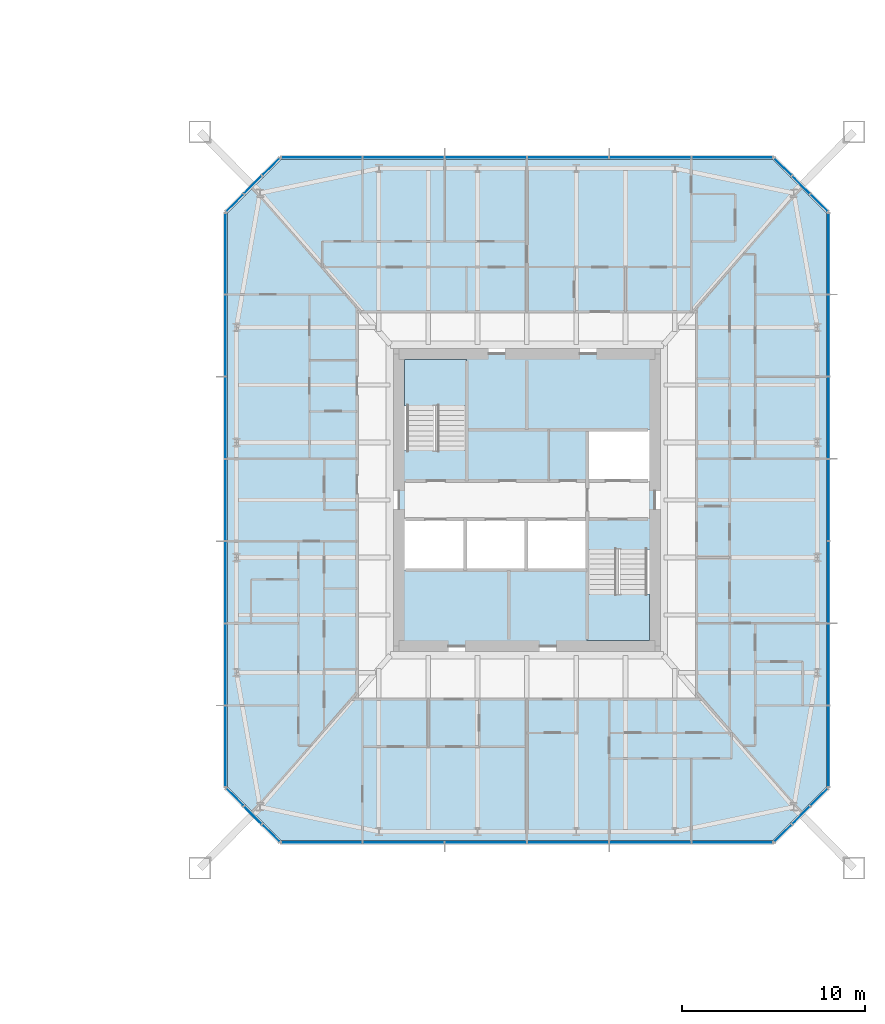
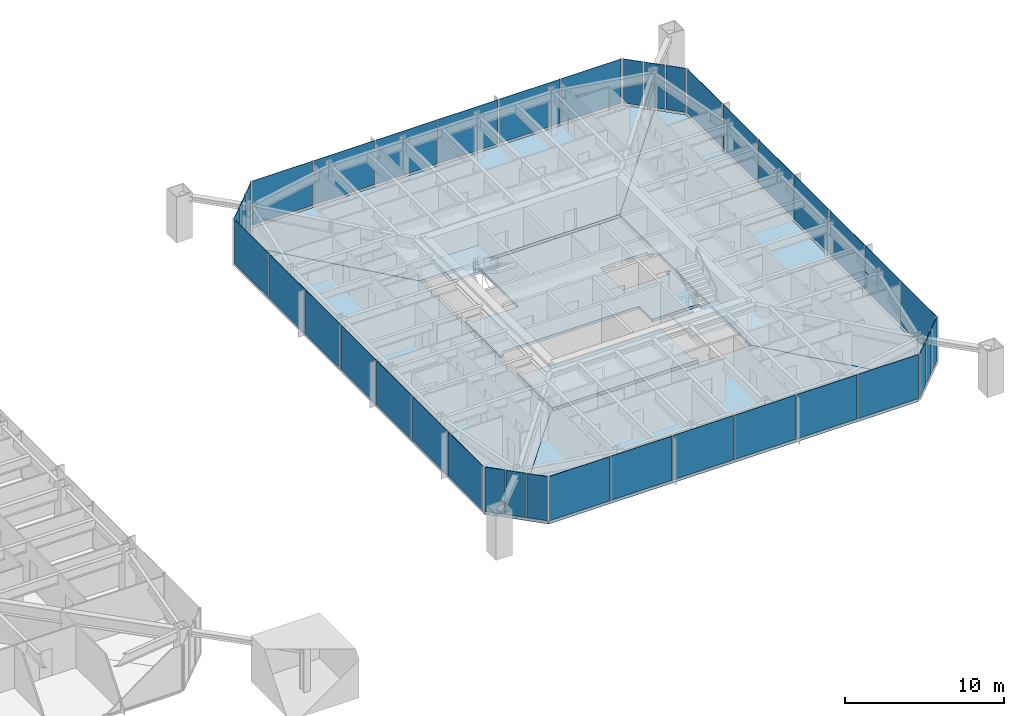
# One storey, part 13 of 26: 38 plates, 8 slabs, 10 elements without a shape of their own.
"""IFC4 building model written with IfcOpenShell, lengths in metres."""

from ifc_helpers import new_model, si_unit, direction, frame, origin, origin_2d, place, context, subcontext, project, spatial, polyline, rectangle, outline, extrude, material, layer, layer_set, constituent, constituent_set, type_object, element, aggregate, save


model = new_model("IFC4")

# Units and contexts
model_context = context("Model", 3, precision=1e-05, world=origin(), true_north=direction((0.0, 1.0)))
body_context = subcontext(model_context, "Body", "Model", "MODEL_VIEW")
ifc_project = project(units=[si_unit("LENGTHUNIT", "METRE"), si_unit("AREAUNIT", "SQUARE_METRE"), si_unit("VOLUMEUNIT", "CUBIC_METRE"), si_unit("PLANEANGLEUNIT", "RADIAN"), si_unit("MASSUNIT", "GRAM", prefix="KILO")], contexts=[model_context])

# Site, building, storey
site_placement = place(None, origin())
site = spatial("IfcSite", under=ifc_project, at=site_placement, CompositionType="ELEMENT")
building_placement = place(site_placement, origin())
building = spatial("IfcBuilding", under=site, at=building_placement, Name="Iwan Alto Co-Living Towers", CompositionType="ELEMENT")
storey_placement = place(building_placement, frame((0.0, 0.0, 60.5)))
storey = spatial("IfcBuildingStorey", under=building, at=storey_placement, Name="L16", CompositionType="ELEMENT", Elevation=60.5)

# Slabs
ifc_material_1 = material(Name="Concrete f'c 30 MPa", Category="concrete")
ifc_layer_1 = layer(ifc_material_1, 0.199951171875)
ifc_layer_set_1 = layer_set([ifc_layer_1], Name="CORE FLOOR SLAB 200")
slab_type_1 = type_object("IfcSlabType", Name="CORE FLOOR SLAB 200", PredefinedType="FLOOR", material=ifc_layer_set_1)
slab_1_placement = place(storey_placement, frame((0.0, 0.0, -0.199951171875)))
element("IfcSlab", 1, at=slab_1_placement, inside=storey, type_object=slab_type_1, Name="T2 core floor L16", PredefinedType="FLOOR", context=body_context, shape_type="SweptSolid", body=[
    extrude(outline(polyline([(70.0, -3.030029296875), (69.699951171875, -3.030029296875), (69.699951171875, -2.719970703125), (66.300048828125, -2.719970703125), (66.300048828125, -1.050048828125), (62.967041015625, -1.050048828125), (59.633056640625, -1.050048828125), (56.300048828125, -1.050048828125), (56.300048828125, -1.360107421875), (56.0, -1.360107421875), (56.0, 3.030029296875), (56.300048828125, 3.030029296875), (56.300048828125, 2.719970703125), (59.699951171875, 2.719970703125), (59.699951171875, 7.699951171875), (59.389892578125, 7.699951171875), (59.389892578125, 8.0), (70.0, 8.0), (70.0, 3.5400390625), (69.699951171875, 3.5400390625), (69.699951171875, 3.85009765625), (66.300048828125, 3.85009765625), (66.300048828125, 1.050048828125), (69.699951171875, 1.050048828125), (69.699951171875, 1.360107421875), (70.0, 1.360107421875), (70.0, -3.030029296875)])), origin(), (0.0, 0.0, 1.0), 0.199951171875),
])
slab_2_placement = place(storey_placement, frame((0.0, 0.0, -0.199951171875)))
element("IfcSlab", 2, at=slab_2_placement, inside=storey, type_object=slab_type_1, Name="T2 core floor L16", PredefinedType="FLOOR", context=body_context, shape_type="SweptSolid", body=[
    extrude(outline(polyline([(62.967041015625, -3.85009765625), (66.300048828125, -3.85009765625), (66.300048828125, -7.699951171875), (66.610107421875, -7.699951171875), (66.610107421875, -8.0), (56.0, -8.0), (56.0, -3.5400390625), (56.300048828125, -3.5400390625), (56.300048828125, -3.85009765625), (59.633056640625, -3.85009765625), (62.967041015625, -3.85009765625)])), origin(), (0.0, 0.0, 1.0), 0.199951171875),
])

# Curtain wall, plates
ifc_material_2 = material(Name="Bronze aluminium unitised frame", Category="aluminium")
curtain_wall_type_1 = type_object("IfcCurtainWallType", Name="CURTAIN WALL CW-C", PredefinedType="NOTDEFINED", material=ifc_material_2)
curtain_wall_1_placement = place(storey_placement, origin())
curtain_wall_1 = element("IfcCurtainWall", 3, at=curtain_wall_1_placement, inside=storey, type_object=curtain_wall_type_1, Name="T2 curtain wall S L16", PredefinedType="NOTDEFINED")
ifc_material_3 = material(Name="Bronze-tinted insulating glass", Category="glass")
ifc_layer_2 = layer(ifc_material_3, 0.031982421875)
ifc_layer_set_2 = layer_set([ifc_layer_2], Name="CW-C PANEL TINTED IGU 32")
plate_type_1 = type_object("IfcPlateType", Name="CW-C PANEL TINTED IGU 32", PredefinedType="CURTAIN_PANEL", material=ifc_layer_set_2)
plate_1_placement = place(storey_placement, frame((51.77001953125, -18.75, 0.10009765625), z_axis=(0.0, 0.0, 1.0), x_axis=(1.0, 0.0, 0.0)))
plate_1 = element("IfcPlate", 4, at=plate_1_placement, type_object=plate_type_1, Name="CW-C panel 1.1", PredefinedType="CURTAIN_PANEL", context=body_context, shape_type="SweptSolid", body=[
    extrude(rectangle(XDim=4.3798828125, YDim=0.031982421875, at=origin_2d()), origin(), (0.0, 0.0, 1.0), 3.39990234375),
])
plate_2_placement = place(storey_placement, frame((60.75, -18.75, 0.10009765625), z_axis=(0.0, 0.0, 1.0), x_axis=(1.0, 0.0, 0.0)))
plate_2 = element("IfcPlate", 5, at=plate_2_placement, type_object=plate_type_1, Name="CW-C panel 3.1", PredefinedType="CURTAIN_PANEL", context=body_context, shape_type="SweptSolid", body=[
    extrude(rectangle(XDim=4.419921875, YDim=0.031982421875, at=origin_2d()), origin(), (0.0, 0.0, 1.0), 3.39990234375),
])
plate_3_placement = place(storey_placement, frame((65.25, -18.75, 0.10009765625), z_axis=(0.0, 0.0, 1.0), x_axis=(1.0, 0.0, 0.0)))
plate_3 = element("IfcPlate", 6, at=plate_3_placement, type_object=plate_type_1, Name="CW-C panel 4.1", PredefinedType="CURTAIN_PANEL", context=body_context, shape_type="SweptSolid", body=[
    extrude(rectangle(XDim=4.419921875, YDim=0.031982421875, at=origin_2d()), origin(), (0.0, 0.0, 1.0), 3.39990234375),
])
plate_4_placement = place(storey_placement, frame((74.22998046875, -18.75, 0.10009765625), z_axis=(0.0, 0.0, 1.0), x_axis=(1.0, 0.0, 0.0)))
plate_4 = element("IfcPlate", 7, at=plate_4_placement, type_object=plate_type_1, Name="CW-C panel 6.1", PredefinedType="CURTAIN_PANEL", context=body_context, shape_type="SweptSolid", body=[
    extrude(rectangle(XDim=4.3798828125, YDim=0.031982421875, at=origin_2d()), origin(), (0.0, 0.0, 1.0), 3.39990234375),
])

curtain_wall_2_placement = place(storey_placement, origin())
curtain_wall_2 = element("IfcCurtainWall", 8, at=curtain_wall_2_placement, inside=storey, type_object=curtain_wall_type_1, Name="T2 curtain wall E L16", PredefinedType="NOTDEFINED")
plate_5_placement = place(storey_placement, frame((79.5, -13.47998046875, 0.10009765625), z_axis=(0.0, 0.0, 1.0), x_axis=(0.0, 1.0, 0.0)))
plate_5 = element("IfcPlate", 9, at=plate_5_placement, type_object=plate_type_1, Name="CW-C panel 1.1", PredefinedType="CURTAIN_PANEL", context=body_context, shape_type="SweptSolid", body=[
    extrude(rectangle(XDim=4.3798828125, YDim=0.031982421875, at=origin_2d()), origin(), (0.0, 0.0, 1.0), 3.39990234375),
])
plate_6_placement = place(storey_placement, frame((79.5, 0.0, 0.10009765625), z_axis=(0.0, 0.0, 1.0), x_axis=(0.0, 1.0, 0.0)))
plate_6 = element("IfcPlate", 10, at=plate_6_placement, type_object=plate_type_1, Name="CW-C panel 4.1", PredefinedType="CURTAIN_PANEL", context=body_context, shape_type="SweptSolid", body=[
    extrude(rectangle(XDim=4.419921875, YDim=0.031982421875, at=origin_2d()), origin(), (0.0, 0.0, 1.0), 3.39990234375),
])
plate_7_placement = place(storey_placement, frame((79.5, 13.47998046875, 0.10009765625), z_axis=(0.0, 0.0, 1.0), x_axis=(0.0, 1.0, 0.0)))
plate_7 = element("IfcPlate", 11, at=plate_7_placement, type_object=plate_type_1, Name="CW-C panel 7.1", PredefinedType="CURTAIN_PANEL", context=body_context, shape_type="SweptSolid", body=[
    extrude(rectangle(XDim=4.3798828125, YDim=0.031982421875, at=origin_2d()), origin(), (0.0, 0.0, 1.0), 3.39990234375),
])

curtain_wall_3_placement = place(storey_placement, origin())
curtain_wall_3 = element("IfcCurtainWall", 12, at=curtain_wall_3_placement, inside=storey, type_object=curtain_wall_type_1, Name="T2 curtain wall N L16", PredefinedType="NOTDEFINED")
plate_8_placement = place(storey_placement, frame((74.22998046875, 18.75, 0.10009765625), z_axis=(0.0, 0.0, 1.0), x_axis=(-1.0, 0.0, 0.0)))
plate_8 = element("IfcPlate", 13, at=plate_8_placement, type_object=plate_type_1, Name="CW-C panel 1.1", PredefinedType="CURTAIN_PANEL", context=body_context, shape_type="SweptSolid", body=[
    extrude(rectangle(XDim=4.3798828125, YDim=0.031982421875, at=origin_2d()), origin(), (0.0, 0.0, 1.0), 3.39990234375),
])
plate_9_placement = place(storey_placement, frame((65.25, 18.75, 0.10009765625), z_axis=(0.0, 0.0, 1.0), x_axis=(-1.0, 0.0, 0.0)))
plate_9 = element("IfcPlate", 14, at=plate_9_placement, type_object=plate_type_1, Name="CW-C panel 3.1", PredefinedType="CURTAIN_PANEL", context=body_context, shape_type="SweptSolid", body=[
    extrude(rectangle(XDim=4.419921875, YDim=0.031982421875, at=origin_2d()), origin(), (0.0, 0.0, 1.0), 3.39990234375),
])
plate_10_placement = place(storey_placement, frame((60.75, 18.75, 0.10009765625), z_axis=(0.0, 0.0, 1.0), x_axis=(-1.0, 0.0, 0.0)))
plate_10 = element("IfcPlate", 15, at=plate_10_placement, type_object=plate_type_1, Name="CW-C panel 4.1", PredefinedType="CURTAIN_PANEL", context=body_context, shape_type="SweptSolid", body=[
    extrude(rectangle(XDim=4.419921875, YDim=0.031982421875, at=origin_2d()), origin(), (0.0, 0.0, 1.0), 3.39990234375),
])
plate_11_placement = place(storey_placement, frame((51.77001953125, 18.75, 0.10009765625), z_axis=(0.0, 0.0, 1.0), x_axis=(-1.0, 0.0, 0.0)))
plate_11 = element("IfcPlate", 16, at=plate_11_placement, type_object=plate_type_1, Name="CW-C panel 6.1", PredefinedType="CURTAIN_PANEL", context=body_context, shape_type="SweptSolid", body=[
    extrude(rectangle(XDim=4.3798828125, YDim=0.031982421875, at=origin_2d()), origin(), (0.0, 0.0, 1.0), 3.39990234375),
])

curtain_wall_4_placement = place(storey_placement, origin())
curtain_wall_4 = element("IfcCurtainWall", 17, at=curtain_wall_4_placement, inside=storey, type_object=curtain_wall_type_1, Name="T2 curtain wall W L16", PredefinedType="NOTDEFINED")
plate_12_placement = place(storey_placement, frame((46.5, 13.47998046875, 0.10009765625), z_axis=(0.0, 0.0, 1.0), x_axis=(0.0, -1.0, 0.0)))
plate_12 = element("IfcPlate", 18, at=plate_12_placement, type_object=plate_type_1, Name="CW-C panel 1.1", PredefinedType="CURTAIN_PANEL", context=body_context, shape_type="SweptSolid", body=[
    extrude(rectangle(XDim=4.3798828125, YDim=0.031982421875, at=origin_2d()), origin(), (0.0, 0.0, 1.0), 3.39990234375),
])
plate_13_placement = place(storey_placement, frame((46.5, 0.0, 0.10009765625), z_axis=(0.0, 0.0, 1.0), x_axis=(0.0, -1.0, 0.0)))
plate_13 = element("IfcPlate", 19, at=plate_13_placement, type_object=plate_type_1, Name="CW-C panel 4.1", PredefinedType="CURTAIN_PANEL", context=body_context, shape_type="SweptSolid", body=[
    extrude(rectangle(XDim=4.419921875, YDim=0.031982421875, at=origin_2d()), origin(), (0.0, 0.0, 1.0), 3.39990234375),
])
plate_14_placement = place(storey_placement, frame((46.5, -13.47998046875, 0.10009765625), z_axis=(0.0, 0.0, 1.0), x_axis=(0.0, -1.0, 0.0)))
plate_14 = element("IfcPlate", 20, at=plate_14_placement, type_object=plate_type_1, Name="CW-C panel 7.1", PredefinedType="CURTAIN_PANEL", context=body_context, shape_type="SweptSolid", body=[
    extrude(rectangle(XDim=4.3798828125, YDim=0.031982421875, at=origin_2d()), origin(), (0.0, 0.0, 1.0), 3.39990234375),
])

# Plate
ifc_material_4 = material(Name="Insulated bronze aluminium spandrel panel", Category="aluminium")
ifc_layer_3 = layer(ifc_material_4, 0.031982421875)
ifc_layer_set_3 = layer_set([ifc_layer_3], Name="CW-C SPANDREL PANEL 32")
plate_type_2 = type_object("IfcPlateType", Name="CW-C SPANDREL PANEL 32", PredefinedType="CURTAIN_PANEL", material=ifc_layer_set_3)
plate_15_placement = place(storey_placement, frame((56.25, -18.75, 0.10009765625), z_axis=(0.0, 0.0, 1.0), x_axis=(1.0, 0.0, 0.0)))
plate_15 = element("IfcPlate", 21, at=plate_15_placement, type_object=plate_type_2, Name="CW-C spandrel panel 2.1 (braced bay)", PredefinedType="CURTAIN_PANEL", context=body_context, shape_type="SweptSolid", body=[
    extrude(rectangle(XDim=4.419921875, YDim=0.031982421875, at=origin_2d()), origin(), (0.0, 0.0, 1.0), 3.39990234375),
])

plate_16_placement = place(storey_placement, frame((69.75, -18.75, 0.10009765625), z_axis=(0.0, 0.0, 1.0), x_axis=(1.0, 0.0, 0.0)))
plate_16 = element("IfcPlate", 22, at=plate_16_placement, type_object=plate_type_2, Name="CW-C spandrel panel 5.1 (braced bay)", PredefinedType="CURTAIN_PANEL", context=body_context, shape_type="SweptSolid", body=[
    extrude(rectangle(XDim=4.419921875, YDim=0.031982421875, at=origin_2d()), origin(), (0.0, 0.0, 1.0), 3.39990234375),
])

aggregate(curtain_wall_1, [plate_1, plate_2, plate_3, plate_4, plate_15, plate_16])

plate_17_placement = place(storey_placement, frame((79.5, -9.0, 0.10009765625), z_axis=(0.0, 0.0, 1.0), x_axis=(0.0, 1.0, 0.0)))
plate_17 = element("IfcPlate", 23, at=plate_17_placement, type_object=plate_type_2, Name="CW-C spandrel panel 2.1 (braced bay)", PredefinedType="CURTAIN_PANEL", context=body_context, shape_type="SweptSolid", body=[
    extrude(rectangle(XDim=4.419921875, YDim=0.031982421875, at=origin_2d()), origin(), (0.0, 0.0, 1.0), 3.39990234375),
])

plate_18_placement = place(storey_placement, frame((79.5, -4.5, 0.10009765625), z_axis=(0.0, 0.0, 1.0), x_axis=(0.0, 1.0, 0.0)))
plate_18 = element("IfcPlate", 24, at=plate_18_placement, type_object=plate_type_2, Name="CW-C spandrel panel 3.1 (braced bay)", PredefinedType="CURTAIN_PANEL", context=body_context, shape_type="SweptSolid", body=[
    extrude(rectangle(XDim=4.419921875, YDim=0.031982421875, at=origin_2d()), origin(), (0.0, 0.0, 1.0), 3.39990234375),
])

plate_19_placement = place(storey_placement, frame((79.5, 4.5, 0.10009765625), z_axis=(0.0, 0.0, 1.0), x_axis=(0.0, 1.0, 0.0)))
plate_19 = element("IfcPlate", 25, at=plate_19_placement, type_object=plate_type_2, Name="CW-C spandrel panel 5.1 (braced bay)", PredefinedType="CURTAIN_PANEL", context=body_context, shape_type="SweptSolid", body=[
    extrude(rectangle(XDim=4.419921875, YDim=0.031982421875, at=origin_2d()), origin(), (0.0, 0.0, 1.0), 3.39990234375),
])

plate_20_placement = place(storey_placement, frame((79.5, 9.0, 0.10009765625), z_axis=(0.0, 0.0, 1.0), x_axis=(0.0, 1.0, 0.0)))
plate_20 = element("IfcPlate", 26, at=plate_20_placement, type_object=plate_type_2, Name="CW-C spandrel panel 6.1 (braced bay)", PredefinedType="CURTAIN_PANEL", context=body_context, shape_type="SweptSolid", body=[
    extrude(rectangle(XDim=4.419921875, YDim=0.031982421875, at=origin_2d()), origin(), (0.0, 0.0, 1.0), 3.39990234375),
])

aggregate(curtain_wall_2, [plate_5, plate_6, plate_7, plate_17, plate_18, plate_19, plate_20])

plate_21_placement = place(storey_placement, frame((69.75, 18.75, 0.10009765625), z_axis=(0.0, 0.0, 1.0), x_axis=(-1.0, 0.0, 0.0)))
plate_21 = element("IfcPlate", 27, at=plate_21_placement, type_object=plate_type_2, Name="CW-C spandrel panel 2.1 (braced bay)", PredefinedType="CURTAIN_PANEL", context=body_context, shape_type="SweptSolid", body=[
    extrude(rectangle(XDim=4.419921875, YDim=0.031982421875, at=origin_2d()), origin(), (0.0, 0.0, 1.0), 3.39990234375),
])

plate_22_placement = place(storey_placement, frame((56.25, 18.75, 0.10009765625), z_axis=(0.0, 0.0, 1.0), x_axis=(-1.0, 0.0, 0.0)))
plate_22 = element("IfcPlate", 28, at=plate_22_placement, type_object=plate_type_2, Name="CW-C spandrel panel 5.1 (braced bay)", PredefinedType="CURTAIN_PANEL", context=body_context, shape_type="SweptSolid", body=[
    extrude(rectangle(XDim=4.419921875, YDim=0.031982421875, at=origin_2d()), origin(), (0.0, 0.0, 1.0), 3.39990234375),
])

aggregate(curtain_wall_3, [plate_8, plate_9, plate_10, plate_11, plate_21, plate_22])

plate_23_placement = place(storey_placement, frame((46.5, 9.0, 0.10009765625), z_axis=(0.0, 0.0, 1.0), x_axis=(0.0, -1.0, 0.0)))
plate_23 = element("IfcPlate", 29, at=plate_23_placement, type_object=plate_type_2, Name="CW-C spandrel panel 2.1 (braced bay)", PredefinedType="CURTAIN_PANEL", context=body_context, shape_type="SweptSolid", body=[
    extrude(rectangle(XDim=4.419921875, YDim=0.031982421875, at=origin_2d()), origin(), (0.0, 0.0, 1.0), 3.39990234375),
])

plate_24_placement = place(storey_placement, frame((46.5, 4.5, 0.10009765625), z_axis=(0.0, 0.0, 1.0), x_axis=(0.0, -1.0, 0.0)))
plate_24 = element("IfcPlate", 30, at=plate_24_placement, type_object=plate_type_2, Name="CW-C spandrel panel 3.1 (braced bay)", PredefinedType="CURTAIN_PANEL", context=body_context, shape_type="SweptSolid", body=[
    extrude(rectangle(XDim=4.419921875, YDim=0.031982421875, at=origin_2d()), origin(), (0.0, 0.0, 1.0), 3.39990234375),
])

plate_25_placement = place(storey_placement, frame((46.5, -4.5, 0.10009765625), z_axis=(0.0, 0.0, 1.0), x_axis=(0.0, -1.0, 0.0)))
plate_25 = element("IfcPlate", 31, at=plate_25_placement, type_object=plate_type_2, Name="CW-C spandrel panel 5.1 (braced bay)", PredefinedType="CURTAIN_PANEL", context=body_context, shape_type="SweptSolid", body=[
    extrude(rectangle(XDim=4.419921875, YDim=0.031982421875, at=origin_2d()), origin(), (0.0, 0.0, 1.0), 3.39990234375),
])

plate_26_placement = place(storey_placement, frame((46.5, -9.0, 0.10009765625), z_axis=(0.0, 0.0, 1.0), x_axis=(0.0, -1.0, 0.0)))
plate_26 = element("IfcPlate", 32, at=plate_26_placement, type_object=plate_type_2, Name="CW-C spandrel panel 6.1 (braced bay)", PredefinedType="CURTAIN_PANEL", context=body_context, shape_type="SweptSolid", body=[
    extrude(rectangle(XDim=4.419921875, YDim=0.031982421875, at=origin_2d()), origin(), (0.0, 0.0, 1.0), 3.39990234375),
])

aggregate(curtain_wall_4, [plate_12, plate_13, plate_14, plate_23, plate_24, plate_25, plate_26])

# Curtain wall, plates
ifc_material_5 = material(Name="Bronze aluminium unitised frame", Category="aluminium")
curtain_wall_type_2 = type_object("IfcCurtainWallType", Name="CURTAIN WALL CW-D", PredefinedType="NOTDEFINED", material=ifc_material_5)
curtain_wall_5_placement = place(storey_placement, origin())
curtain_wall_5 = element("IfcCurtainWall", 33, at=curtain_wall_5_placement, inside=storey, type_object=curtain_wall_type_2, Name="T2 chamfer curtain wall SE L16", PredefinedType="NOTDEFINED")
ifc_material_6 = material(Name="Bronze-tinted insulating glass", Category="glass")
ifc_layer_4 = layer(ifc_material_6, 0.031982421875)
ifc_layer_set_4 = layer_set([ifc_layer_4], Name="CW-D PANEL TINTED IGU 32")
plate_type_3 = type_object("IfcPlateType", Name="CW-D PANEL TINTED IGU 32", PredefinedType="CURTAIN_PANEL", material=ifc_layer_set_4)
plate_27_placement = place(storey_placement, frame((77.01416015625, -18.23583984375, 0.10009765625), z_axis=(0.0, 0.0, 1.0), x_axis=(0.707106781187, 0.707106781187, 0.0)))
plate_27 = element("IfcPlate", 34, at=plate_27_placement, type_object=plate_type_3, Name="CW-D panel 1.1", PredefinedType="CURTAIN_PANEL", context=body_context, shape_type="SweptSolid", body=[
    extrude(rectangle(XDim=1.294189453125, YDim=0.031982421875, at=origin_2d()), origin(), (0.0, 0.0, 1.0), 3.39990234375),
])
plate_28_placement = place(storey_placement, frame((78.0, -17.25, 0.10009765625), z_axis=(0.0, 0.0, 1.0), x_axis=(0.707106781187, 0.707106781187, 0.0)))
plate_28 = element("IfcPlate", 35, at=plate_28_placement, type_object=plate_type_3, Name="CW-D panel 2.1", PredefinedType="CURTAIN_PANEL", context=body_context, shape_type="SweptSolid", body=[
    extrude(rectangle(XDim=1.334228515625, YDim=0.031982421875, at=origin_2d()), origin(), (0.0, 0.0, 1.0), 3.39990234375),
])
plate_29_placement = place(storey_placement, frame((78.98583984375, -16.26416015625, 0.10009765625), z_axis=(0.0, 0.0, 1.0), x_axis=(0.707106781187, 0.707106781187, 0.0)))
plate_29 = element("IfcPlate", 36, at=plate_29_placement, type_object=plate_type_3, Name="CW-D panel 3.1", PredefinedType="CURTAIN_PANEL", context=body_context, shape_type="SweptSolid", body=[
    extrude(rectangle(XDim=1.294189453125, YDim=0.031982421875, at=origin_2d()), origin(), (0.0, 0.0, 1.0), 3.39990234375),
])
aggregate(curtain_wall_5, [plate_27, plate_28, plate_29])

curtain_wall_6_placement = place(storey_placement, origin())
curtain_wall_6 = element("IfcCurtainWall", 37, at=curtain_wall_6_placement, inside=storey, type_object=curtain_wall_type_2, Name="T2 chamfer curtain wall NE L16", PredefinedType="NOTDEFINED")
plate_30_placement = place(storey_placement, frame((78.98583984375, 16.26416015625, 0.10009765625), z_axis=(0.0, 0.0, 1.0), x_axis=(-0.707106781187, 0.707106781187, 0.0)))
plate_30 = element("IfcPlate", 38, at=plate_30_placement, type_object=plate_type_3, Name="CW-D panel 1.1", PredefinedType="CURTAIN_PANEL", context=body_context, shape_type="SweptSolid", body=[
    extrude(rectangle(XDim=1.294189453125, YDim=0.031982421875, at=origin_2d()), origin(), (0.0, 0.0, 1.0), 3.39990234375),
])
plate_31_placement = place(storey_placement, frame((78.0, 17.25, 0.10009765625), z_axis=(0.0, 0.0, 1.0), x_axis=(-0.707106781187, 0.707106781187, 0.0)))
plate_31 = element("IfcPlate", 39, at=plate_31_placement, type_object=plate_type_3, Name="CW-D panel 2.1", PredefinedType="CURTAIN_PANEL", context=body_context, shape_type="SweptSolid", body=[
    extrude(rectangle(XDim=1.334228515625, YDim=0.031982421875, at=origin_2d()), origin(), (0.0, 0.0, 1.0), 3.39990234375),
])
plate_32_placement = place(storey_placement, frame((77.01416015625, 18.23583984375, 0.10009765625), z_axis=(0.0, 0.0, 1.0), x_axis=(-0.707106781187, 0.707106781187, 0.0)))
plate_32 = element("IfcPlate", 40, at=plate_32_placement, type_object=plate_type_3, Name="CW-D panel 3.1", PredefinedType="CURTAIN_PANEL", context=body_context, shape_type="SweptSolid", body=[
    extrude(rectangle(XDim=1.294189453125, YDim=0.031982421875, at=origin_2d()), origin(), (0.0, 0.0, 1.0), 3.39990234375),
])
aggregate(curtain_wall_6, [plate_30, plate_31, plate_32])

curtain_wall_7_placement = place(storey_placement, origin())
curtain_wall_7 = element("IfcCurtainWall", 41, at=curtain_wall_7_placement, inside=storey, type_object=curtain_wall_type_2, Name="T2 chamfer curtain wall NW L16", PredefinedType="NOTDEFINED")
plate_33_placement = place(storey_placement, frame((48.98583984375, 18.23583984375, 0.10009765625), z_axis=(0.0, 0.0, 1.0), x_axis=(-0.707106781187, -0.707106781187, 0.0)))
plate_33 = element("IfcPlate", 42, at=plate_33_placement, type_object=plate_type_3, Name="CW-D panel 1.1", PredefinedType="CURTAIN_PANEL", context=body_context, shape_type="SweptSolid", body=[
    extrude(rectangle(XDim=1.294189453125, YDim=0.031982421875, at=origin_2d()), origin(), (0.0, 0.0, 1.0), 3.39990234375),
])
plate_34_placement = place(storey_placement, frame((48.0, 17.25, 0.10009765625), z_axis=(0.0, 0.0, 1.0), x_axis=(-0.707106781187, -0.707106781187, 0.0)))
plate_34 = element("IfcPlate", 43, at=plate_34_placement, type_object=plate_type_3, Name="CW-D panel 2.1", PredefinedType="CURTAIN_PANEL", context=body_context, shape_type="SweptSolid", body=[
    extrude(rectangle(XDim=1.334228515625, YDim=0.031982421875, at=origin_2d()), origin(), (0.0, 0.0, 1.0), 3.39990234375),
])
plate_35_placement = place(storey_placement, frame((47.01416015625, 16.26416015625, 0.10009765625), z_axis=(0.0, 0.0, 1.0), x_axis=(-0.707106781187, -0.707106781187, 0.0)))
plate_35 = element("IfcPlate", 44, at=plate_35_placement, type_object=plate_type_3, Name="CW-D panel 3.1", PredefinedType="CURTAIN_PANEL", context=body_context, shape_type="SweptSolid", body=[
    extrude(rectangle(XDim=1.294189453125, YDim=0.031982421875, at=origin_2d()), origin(), (0.0, 0.0, 1.0), 3.39990234375),
])
aggregate(curtain_wall_7, [plate_33, plate_34, plate_35])

curtain_wall_8_placement = place(storey_placement, origin())
curtain_wall_8 = element("IfcCurtainWall", 45, at=curtain_wall_8_placement, inside=storey, type_object=curtain_wall_type_2, Name="T2 chamfer curtain wall SW L16", PredefinedType="NOTDEFINED")
plate_36_placement = place(storey_placement, frame((47.01416015625, -16.26416015625, 0.10009765625), z_axis=(0.0, 0.0, 1.0), x_axis=(0.707106781187, -0.707106781187, 0.0)))
plate_36 = element("IfcPlate", 46, at=plate_36_placement, type_object=plate_type_3, Name="CW-D panel 1.1", PredefinedType="CURTAIN_PANEL", context=body_context, shape_type="SweptSolid", body=[
    extrude(rectangle(XDim=1.294189453125, YDim=0.031982421875, at=origin_2d()), origin(), (0.0, 0.0, 1.0), 3.39990234375),
])
plate_37_placement = place(storey_placement, frame((48.0, -17.25, 0.10009765625), z_axis=(0.0, 0.0, 1.0), x_axis=(0.707106781187, -0.707106781187, 0.0)))
plate_37 = element("IfcPlate", 47, at=plate_37_placement, type_object=plate_type_3, Name="CW-D panel 2.1", PredefinedType="CURTAIN_PANEL", context=body_context, shape_type="SweptSolid", body=[
    extrude(rectangle(XDim=1.334228515625, YDim=0.031982421875, at=origin_2d()), origin(), (0.0, 0.0, 1.0), 3.39990234375),
])
plate_38_placement = place(storey_placement, frame((48.98583984375, -18.23583984375, 0.10009765625), z_axis=(0.0, 0.0, 1.0), x_axis=(0.707106781187, -0.707106781187, 0.0)))
plate_38 = element("IfcPlate", 48, at=plate_38_placement, type_object=plate_type_3, Name="CW-D panel 3.1", PredefinedType="CURTAIN_PANEL", context=body_context, shape_type="SweptSolid", body=[
    extrude(rectangle(XDim=1.294189453125, YDim=0.031982421875, at=origin_2d()), origin(), (0.0, 0.0, 1.0), 3.39990234375),
])
aggregate(curtain_wall_8, [plate_36, plate_37, plate_38])

# Stair, slab
ifc_material_7 = material(Name="Steel ASTM A36", Category="steel")
ifc_constituent_1 = constituent(ifc_material_7, Name="Stringers", Category="LoadBearing")
ifc_material_8 = material(Name="Concrete f'c 30 MPa", Category="concrete")
ifc_constituent_2 = constituent(ifc_material_8, Name="Tread fill", Category="Finish")
ifc_constituent_set = constituent_set(constituents=[ifc_constituent_1, ifc_constituent_2], Name="STAIR 3500 TWO-FLIGHT T2 CORE")
stair_type = type_object("IfcStairType", Name="STAIR 3500 TWO-FLIGHT T2 CORE", PredefinedType="HALF_TURN_STAIR", material=ifc_constituent_set)
stair_1_placement = place(storey_placement, origin())
stair_1 = element("IfcStair", 49, at=stair_1_placement, inside=storey, type_object=stair_type, Name="Stair T2-S1 L16 to L17", PredefinedType="HALF_TURN_STAIR")
ifc_material_9 = material(Name="Concrete f'c 30 MPa", Category="concrete")
ifc_layer_5 = layer(ifc_material_9, 0.199951171875)
ifc_layer_set_5 = layer_set([ifc_layer_5], Name="STAIR LANDING 200")
slab_type_2 = type_object("IfcSlabType", Name="STAIR LANDING 200", PredefinedType="LANDING", material=ifc_layer_set_5)
slab_3_placement = place(storey_placement, frame((0.0, 0.0, 1.550048828125)))
slab_3 = element("IfcSlab", 50, at=slab_3_placement, type_object=slab_type_2, Name="T2-S1 landing 1", PredefinedType="LANDING", context=body_context, shape_type="SweptSolid", body=[
    extrude(outline(polyline([(56.300048828125, 5.139892578125), (56.300048828125, 7.699951171875), (59.699951171875, 7.699951171875), (59.699951171875, 5.139892578125), (56.300048828125, 5.139892578125)])), origin(), (0.0, 0.0, 1.0), 0.199951171875),
])
aggregate(stair_1, [slab_3])

stair_2_placement = place(storey_placement, origin())
stair_2 = element("IfcStair", 51, at=stair_2_placement, inside=storey, type_object=stair_type, Name="Stair T2-S2 L16 to L17", PredefinedType="HALF_TURN_STAIR")
slab_4_placement = place(storey_placement, frame((0.0, 0.0, 1.550048828125)))
slab_4 = element("IfcSlab", 52, at=slab_4_placement, type_object=slab_type_2, Name="T2-S2 landing 1", PredefinedType="LANDING", context=body_context, shape_type="SweptSolid", body=[
    extrude(outline(polyline([(66.300048828125, -5.139892578125), (66.300048828125, -7.699951171875), (69.699951171875, -7.699951171875), (69.699951171875, -5.139892578125), (66.300048828125, -5.139892578125)])), origin(), (0.0, 0.0, 1.0), 0.199951171875),
])
aggregate(stair_2, [slab_4])

# Slabs
ifc_material_10 = material(Name="Concrete f'c 30 MPa", Category="concrete")
ifc_layer_6 = layer(ifc_material_10, 0.22998046875)
ifc_layer_set_6 = layer_set([ifc_layer_6], Name="T2 FLOOR SLAB 230")
slab_type_3 = type_object("IfcSlabType", Name="T2 FLOOR SLAB 230", PredefinedType="FLOOR", material=ifc_layer_set_6)
slab_5_placement = place(storey_placement, frame((0.0, 0.0, -0.22998046875)))
element("IfcSlab", 53, at=slab_5_placement, inside=storey, type_object=slab_type_3, Name="T2 floor slab L16 S pour", PredefinedType="FLOOR", context=body_context, shape_type="SweptSolid", body=[
    extrude(outline(polyline([(76.44140625, -18.64990234375), (49.55859375, -18.64990234375), (48.07568359375, -17.1669921875), (55.699951171875, -8.300048828125), (70.300048828125, -8.300048828125), (77.92431640625, -17.1669921875), (76.44140625, -18.64990234375)])), origin(), (0.0, 0.0, 1.0), 0.22998046875),
])
slab_6_placement = place(storey_placement, frame((0.0, 0.0, -0.22998046875)))
element("IfcSlab", 54, at=slab_6_placement, inside=storey, type_object=slab_type_3, Name="T2 floor slab L16 E pour", PredefinedType="FLOOR", context=body_context, shape_type="SweptSolid", body=[
    extrude(outline(polyline([(79.39990234375, 15.69140625), (79.39990234375, -15.69140625), (77.92431640625, -17.1669921875), (70.300048828125, -8.300048828125), (70.300048828125, 8.300048828125), (77.92431640625, 17.1669921875), (79.39990234375, 15.69140625)])), origin(), (0.0, 0.0, 1.0), 0.22998046875),
])
slab_7_placement = place(storey_placement, frame((0.0, 0.0, -0.22998046875)))
element("IfcSlab", 55, at=slab_7_placement, inside=storey, type_object=slab_type_3, Name="T2 floor slab L16 N pour", PredefinedType="FLOOR", context=body_context, shape_type="SweptSolid", body=[
    extrude(outline(polyline([(49.55859375, 18.64990234375), (76.44140625, 18.64990234375), (77.92431640625, 17.1669921875), (70.300048828125, 8.300048828125), (55.699951171875, 8.300048828125), (48.07568359375, 17.1669921875), (49.55859375, 18.64990234375)])), origin(), (0.0, 0.0, 1.0), 0.22998046875),
])
slab_8_placement = place(storey_placement, frame((0.0, 0.0, -0.22998046875)))
element("IfcSlab", 56, at=slab_8_placement, inside=storey, type_object=slab_type_3, Name="T2 floor slab L16 W pour", PredefinedType="FLOOR", context=body_context, shape_type="SweptSolid", body=[
    extrude(outline(polyline([(46.60009765625, 15.69140625), (48.07568359375, 17.1669921875), (55.699951171875, 8.300048828125), (55.699951171875, -8.300048828125), (48.07568359375, -17.1669921875), (46.60009765625, -15.69140625), (46.60009765625, 15.69140625)])), origin(), (0.0, 0.0, 1.0), 0.22998046875),
])

save(model, "model.ifc")
